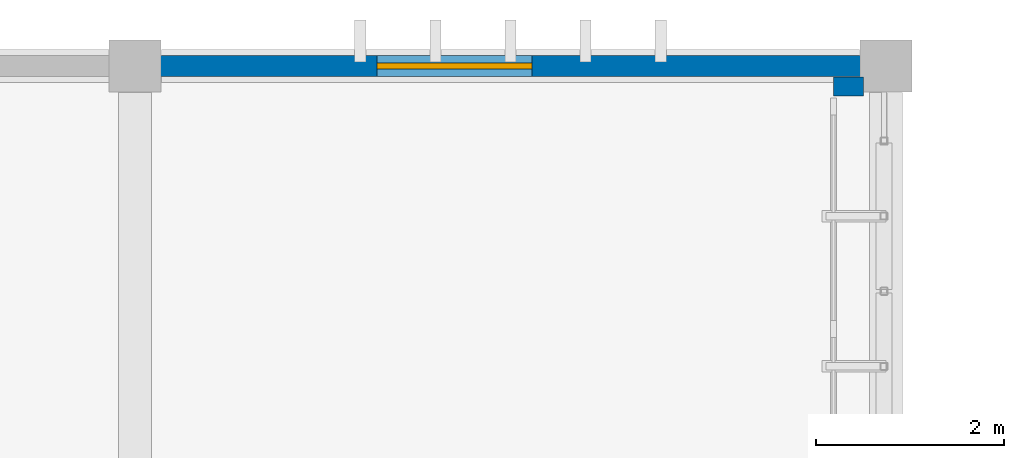
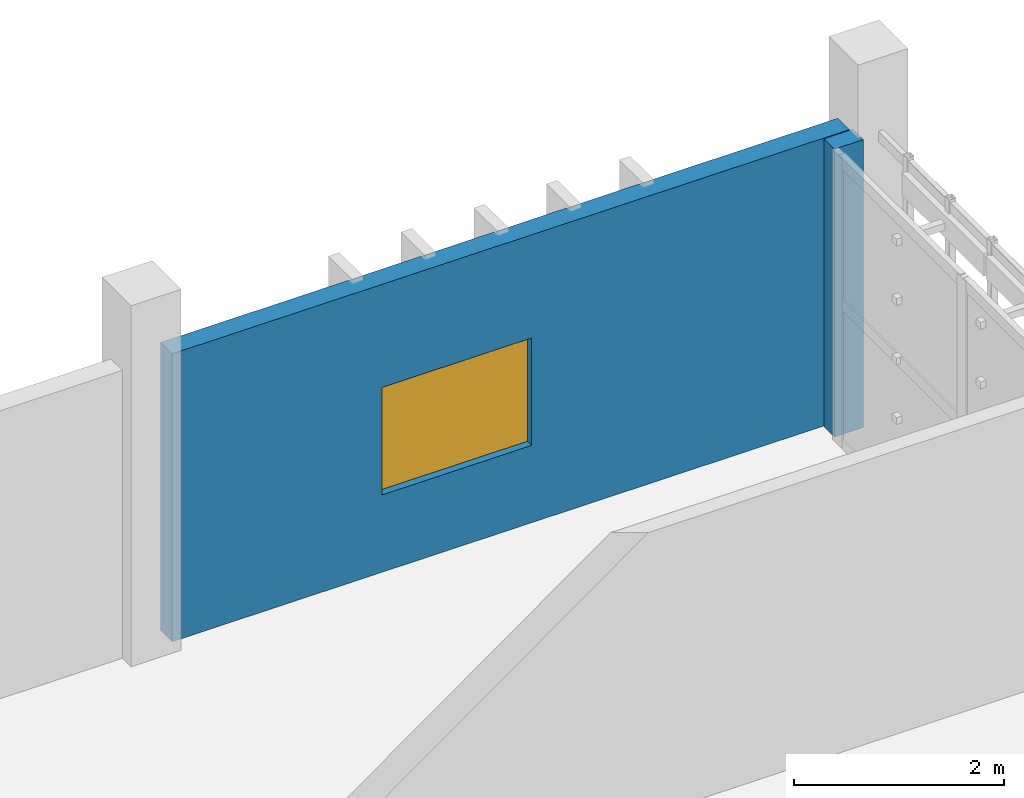
# One storey, part 25 of 32: 2 walls, 1 window, 1 opening.
"""IFC4 building model written with IfcOpenShell, lengths in metres."""

from ifc_helpers import new_model, si_unit, direction, frame, frame_2d, origin, place, context, subcontext, project, spatial, rectangle, extrude, material, layer, layer_set, type_object, element, fill, save


model = new_model("IFC4")

# Units and contexts
model_context = context("Model", 3, precision=1e-05, world=origin(), true_north=direction((0.0, 1.0)))
body_context = subcontext(model_context, "Body", "Model", "MODEL_VIEW")
ifc_project = project(units=[si_unit("LENGTHUNIT", "METRE"), si_unit("AREAUNIT", "SQUARE_METRE"), si_unit("VOLUMEUNIT", "CUBIC_METRE"), si_unit("PLANEANGLEUNIT", "RADIAN"), si_unit("MASSUNIT", "GRAM", prefix="KILO")], contexts=[model_context])

# Site, building, storey
site_placement = place(None, origin())
site = spatial("IfcSite", under=ifc_project, at=site_placement, CompositionType="ELEMENT")
building_placement = place(site_placement, origin())
building = spatial("IfcBuilding", under=site, at=building_placement, Name="Jelvoka-Kovrelna Polytechnic", CompositionType="ELEMENT")
storey_placement = place(building_placement, frame((0.0, 0.0, 26.39990234375)))
storey = spatial("IfcBuildingStorey", under=building, at=storey_placement, Name="L07", CompositionType="ELEMENT", Elevation=26.39990234375)

# Wall, opening, window
ifc_material_1 = material(Name="Precast concrete C40/50", Category="concrete")
ifc_layer_1 = layer(ifc_material_1, 0.219970703125)
ifc_layer_set_1 = layer_set([ifc_layer_1], Name="Precast concrete C40/50")
wall_type_1 = type_object("IfcWallType", Name="Wall_Ext_White_220", PredefinedType="STANDARD", material=ifc_layer_set_1)
wall_1_placement = place(storey_placement, frame((176.27197265625, 72.0, 0.0), z_axis=(0.0, 0.0, 1.0), x_axis=(1.0, 0.0, 0.0)))
wall_1 = element("IfcWall", 1, at=wall_1_placement, inside=storey, type_object=wall_type_1, Name="L07 exterior wall 0809", PredefinedType="STANDARD", context=body_context, shape_type="SweptSolid", body=[
    extrude(rectangle(XDim=7.4560546875, YDim=0.219970703125, at=frame_2d((3.72802734375, 0.0))), origin(), (0.0, 0.0, 1.0), 3.35009765625),
])
opening_placement = place(wall_1_placement, frame((2.30810546875, 0.0, 0.89990234375)))
opening = element("IfcOpeningElement", 2, at=opening_placement, cuts=wall_1, Name="Opening W-L07-463", PredefinedType="OPENING", context=body_context, shape_type="SweptSolid", body=[
    extrude(rectangle(XDim=1.64990234375, YDim=1.25, at=frame_2d((0.824951171875, 0.625))), frame((0.0, 0.119873046875, 0.0), z_axis=(0.0, -1.0, 0.0), x_axis=(1.0, 0.0, 0.0)), (0.0, 0.0, 1.0), 0.239990234375),
])
ifc_material_2 = material(Name="Thermally broken anodised aluminium and low-e glazing", Category="aluminium")
window_type = type_object("IfcWindowType", Name="Win_Casement_W04", PartitioningType="DOUBLE_PANEL_VERTICAL", PredefinedType="WINDOW", material=ifc_material_2)
window_placement = place(opening_placement, origin())
window = element("IfcWindow", 3, at=window_placement, inside=storey, type_object=window_type, Name="L07 aluminium casement window W-L07-463", OverallHeight=1.25, OverallWidth=1.64990234375, PartitioningType="DOUBLE_PANEL_VERTICAL", PredefinedType="WINDOW", context=body_context, shape_type="SweptSolid", body=[
    extrude(rectangle(XDim=1.64990234375, YDim=1.25, at=frame_2d((0.824951171875, 0.625))), frame((0.0, 0.030029296875, 0.0), z_axis=(0.0, -1.0, 0.0), x_axis=(1.0, 0.0, 0.0)), (0.0, 0.0, 1.0), 0.06005859375),
])
fill(opening, window)

# Wall
ifc_material_3 = material(Name="Precast concrete C40/50", Category="concrete")
ifc_layer_2 = layer(ifc_material_3, 0.199951171875)
ifc_layer_set_2 = layer_set([ifc_layer_2], Name="Precast concrete C40/50")
wall_type_2 = type_object("IfcWallType", Name="Wall_Parapet_200", PredefinedType="PARAPET", material=ifc_layer_set_2)
wall_2_placement = place(storey_placement, frame((183.760009765625, 71.780029296875, 0.0), z_axis=(0.0, 0.0, 1.0), x_axis=(-1.0, 0.0, 0.0)))
element("IfcWall", 4, at=wall_2_placement, inside=storey, type_object=wall_type_2, Name="L07 exterior wall 0817", PredefinedType="PARAPET", context=body_context, shape_type="SweptSolid", body=[
    extrude(rectangle(XDim=0.320068359375, YDim=0.199951171875, at=frame_2d((0.16015625, 0.0))), origin(), (0.0, 0.0, 1.0), 3.35009765625),
])

save(model, "model.ifc")
